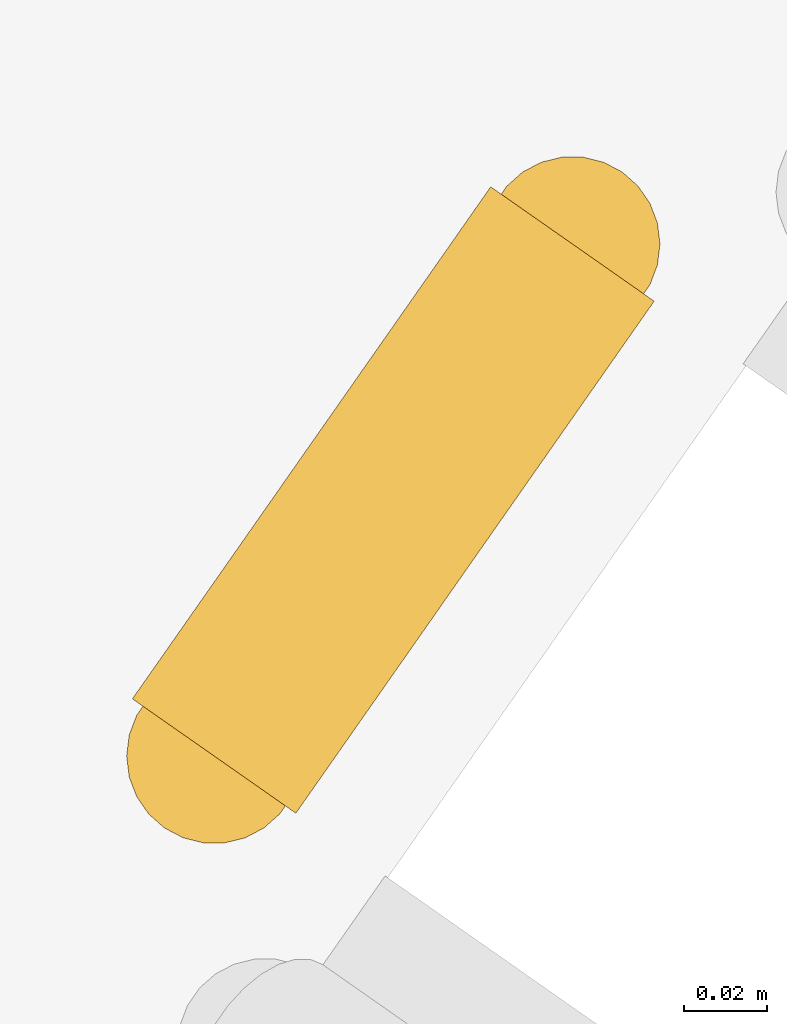
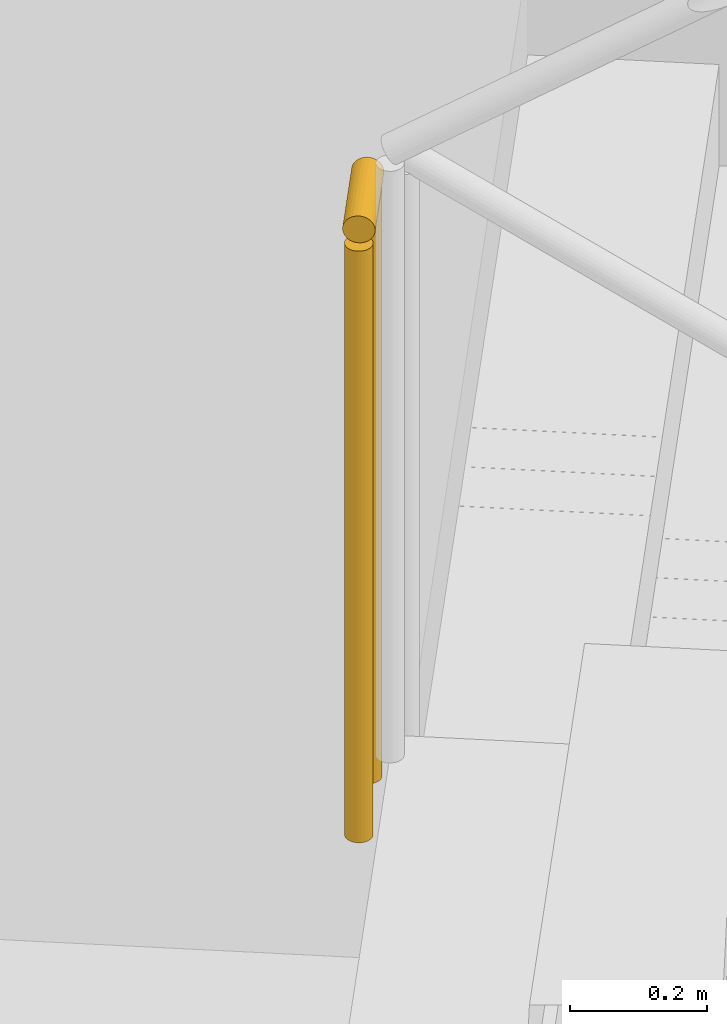
# One storey, part 21 of 23: 1 railing.
"""IFC4 building model written with IfcOpenShell, lengths in metres."""

from ifc_helpers import new_model, si_unit, direction, frame, origin, origin_2d, place, context, subcontext, project, spatial, circle, extrude, material, type_object, element, save


model = new_model("IFC4")

# Units and contexts
model_context = context("Model", 3, precision=1e-05, world=origin(), true_north=direction((0.0, 1.0)))
body_context = subcontext(model_context, "Body", "Model", "MODEL_VIEW")
ifc_project = project(units=[si_unit("LENGTHUNIT", "METRE"), si_unit("AREAUNIT", "SQUARE_METRE"), si_unit("VOLUMEUNIT", "CUBIC_METRE"), si_unit("PLANEANGLEUNIT", "RADIAN"), si_unit("MASSUNIT", "GRAM", prefix="KILO")], contexts=[model_context])

# Site, building, storey
site_placement = place(None, origin())
site = spatial("IfcSite", under=ifc_project, at=site_placement, CompositionType="ELEMENT")
building_placement = place(site_placement, origin())
building = spatial("IfcBuilding", under=site, at=building_placement, Name="Tel Ilan Convention Tower", CompositionType="ELEMENT")
storey_placement = place(building_placement, frame((0.0, 0.0, 79.699951171875)))
storey = spatial("IfcBuildingStorey", under=building, at=storey_placement, Name="L15", CompositionType="ELEMENT", Elevation=79.699951171875)

# Railing
ifc_material = material(Name="Stainless Steel Grade 316", Category="steel")
railing_type = type_object("IfcRailingType", Name="Stainless Steel Stair Guard 1100 mm", PredefinedType="GUARDRAIL", material=ifc_material)
railing_placement = place(storey_placement, frame((18.762939453125, -10.391357421875, 1.800048828125)))
element("IfcRailing", 1, at=railing_placement, inside=storey, type_object=railing_type, Name="L15 S4 stair guard 2", PredefinedType="GUARDRAIL", context=body_context, shape_type="SweptSolid", body=[
    extrude(circle(Radius=0.02392578125, at=origin_2d()), frame((0.0, 0.0, 1.076171875), z_axis=(-0.573353020881, -0.819308436089, 0.0), x_axis=(0.819308436089, -0.573353020881, 0.0)), (0.0, 0.0, 1.0), 0.14990234375),
    extrude(circle(Radius=0.02099609375, at=origin_2d()), origin(), (0.0, 0.0, 1.0), 1.052001953125),
    extrude(circle(Radius=0.02099609375, at=origin_2d()), frame((-0.0859375, -0.122802734375, 0.0)), (0.0, 0.0, 1.0), 1.052001953125),
])

save(model, "model.ifc")
